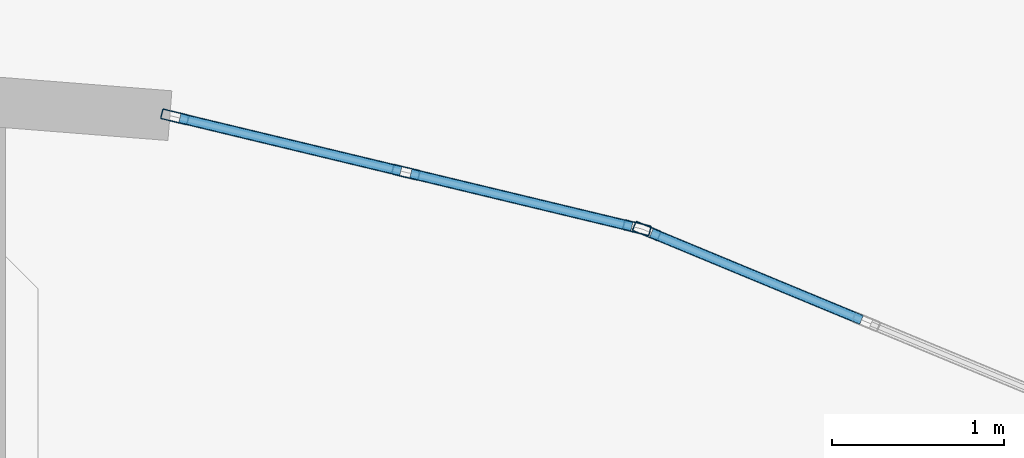
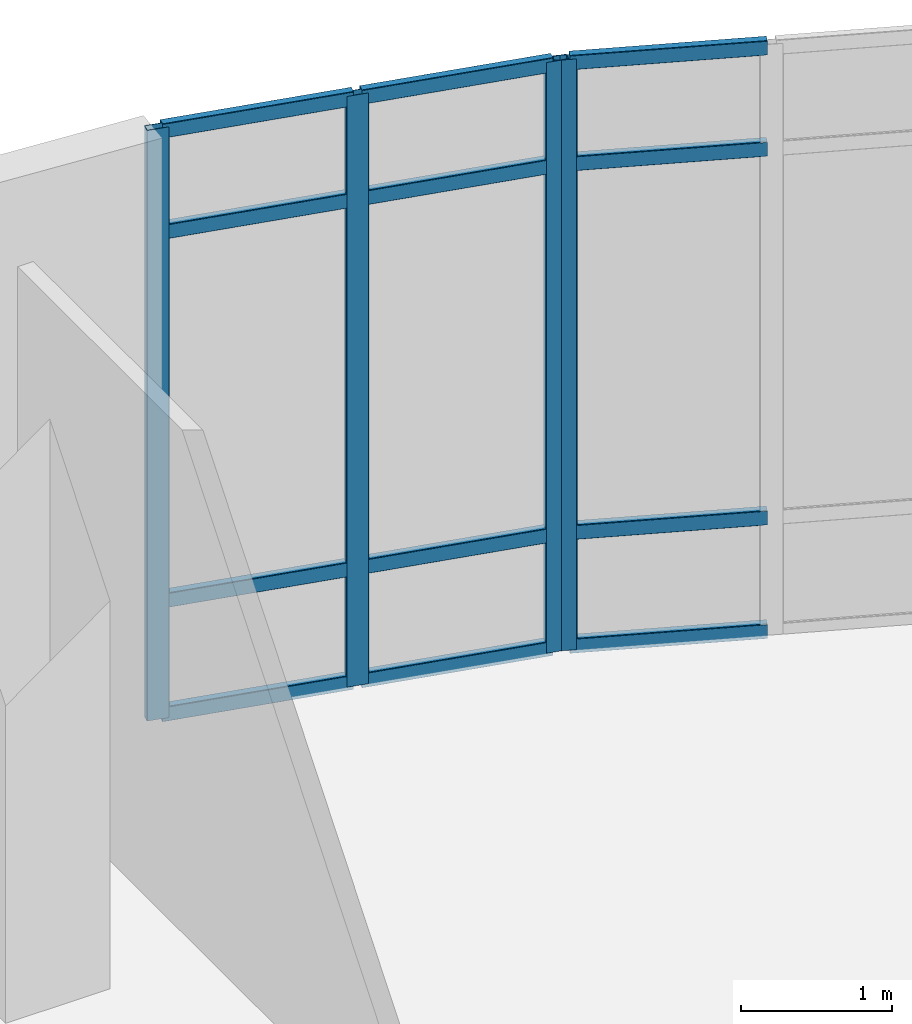
# One storey, part 56 of 96: 16 members, 2 elements without a shape of their own.
"""IFC4 building model written with IfcOpenShell, lengths in metres."""

import ifcopenshell
import ifcopenshell.guid

model = None  # the IFC model being written
_history = None  # IfcOwnerHistory: only IFC2X3 demands one
_inside = {}  # id of a spatial element -> (the spatial element, [elements in it])
_under = {}  # id of a project, library or spatial element -> (it, [spatial elements below it])
_declared = {}  # id of a project -> (the project, [libraries it declares])
_typed = {}  # id of a type object -> (the type object, [elements of that type])
_made_of = {}  # id of a material, layer set ... -> (it, [elements and type objects made of it])


def new_model(schema):
    """Start an empty IFC model of exactly this schema.

    Asked for "IFC4X3", IfcOpenShell would pick the latest addendum, in which some entities
    have other attributes; the version numbers below select the first issue.
    IFC2X3 requires an IfcOwnerHistory on every rooted entity: one is made here for all.
    """
    global model, _history
    if schema == "IFC4X3":
        model = ifcopenshell.file(schema_version=(4, 3, 0, 0))
    else:
        model = ifcopenshell.file(schema=schema)
    _inside.clear()
    _under.clear()
    _declared.clear()
    _typed.clear()
    _made_of.clear()
    _history = None
    if model.schema == "IFC2X3":
        org = make("IfcOrganization", Name="unknown")
        user = make(
            "IfcPersonAndOrganization",
            ThePerson=make("IfcPerson", FamilyName="unknown"),
            TheOrganization=org,
        )
        app = make(
            "IfcApplication",
            ApplicationDeveloper=org,
            Version="unknown",
            ApplicationFullName="unknown",
            ApplicationIdentifier="unknown",
        )
        _history = make(
            "IfcOwnerHistory",
            OwningUser=user,
            OwningApplication=app,
            ChangeAction="ADDED",
            CreationDate=0,
        )
    return model


def make(cls, **values):
    """One entity of the class cls with the attributes given. An attribute that is None is left unset."""
    return model.create_entity(
        cls, **{name: value for name, value in values.items() if value is not None}
    )


def rooted(cls, **values):
    """An entity with a GlobalId (a new one), such as an element, a storey or a relation."""
    return make(cls, GlobalId=ifcopenshell.guid.new(), OwnerHistory=_history, **values)


def si_unit(unit_type, name, prefix=None):
    """IfcSIUnit, for example si_unit("LENGTHUNIT", "METRE", prefix="MILLI")."""
    return make("IfcSIUnit", UnitType=unit_type, Prefix=prefix, Name=name)


def derived_unit(unit_type, elements):
    """IfcDerivedUnit: a product of units, each with its exponent."""
    return make(
        "IfcDerivedUnit",
        Elements=[
            make("IfcDerivedUnitElement", Unit=unit, Exponent=power)
            for unit, power in elements
        ],
        UnitType=unit_type,
    )


def assignment(units):
    """IfcUnitAssignment: the units of a project."""
    return None if units is None else make("IfcUnitAssignment", Units=units)


def point(xyz):
    """IfcCartesianPoint."""
    return None if xyz is None else make("IfcCartesianPoint", Coordinates=xyz)


def direction(xyz):
    """IfcDirection."""
    return None if xyz is None else make("IfcDirection", DirectionRatios=xyz)


def frame(location, z_axis=None, x_axis=None):
    """IfcAxis2Placement3D, a coordinate frame: its origin and axes. An axis left out is left unset."""
    return make(
        "IfcAxis2Placement3D",
        Location=point(location),
        Axis=direction(z_axis),
        RefDirection=direction(x_axis),
    )


def frame_2d(location, x_axis=None):
    """IfcAxis2Placement2D, a coordinate frame in the plane: its origin and x axis."""
    return make(
        "IfcAxis2Placement2D", Location=point(location), RefDirection=direction(x_axis)
    )


def origin():
    """The frame at (0, 0, 0) with its axes left unset."""
    return frame((0.0, 0.0, 0.0))


def origin_2d():
    """The frame at (0, 0) in the plane with its x axis left unset."""
    return frame_2d((0.0, 0.0))


def place(relative_to, where):
    """IfcLocalPlacement: puts the frame where relative to a parent placement (None: the world)."""
    return make(
        "IfcLocalPlacement", PlacementRelTo=relative_to, RelativePlacement=where
    )


def context(
    kind, dimensions, precision=None, world=None, true_north=None, identifier=None
):
    """IfcGeometricRepresentationContext, for example the 3D "Model" context."""
    return make(
        "IfcGeometricRepresentationContext",
        ContextIdentifier=identifier,
        ContextType=kind,
        CoordinateSpaceDimension=dimensions,
        Precision=precision,
        WorldCoordinateSystem=world,
        TrueNorth=true_north,
    )


def subcontext(parent, identifier, kind, view, scale=None):
    """IfcGeometricRepresentationSubContext, for example "Body" below "Model"."""
    return make(
        "IfcGeometricRepresentationSubContext",
        ContextIdentifier=identifier,
        ContextType=kind,
        ParentContext=parent,
        TargetScale=scale,
        TargetView=view,
    )


def project(units=None, contexts=None):
    """IfcProject with its units and contexts."""
    return rooted(
        "IfcProject",
        Name="project",
        RepresentationContexts=contexts,
        UnitsInContext=assignment(units),
    )


def spatial(cls, under=None, at=None, **own):
    """A site, building, storey or space (cls), placed at a placement, below another one or the project."""
    s = rooted(cls, ObjectPlacement=at, **own)
    if under is not None:
        _under.setdefault(under.id(), (under, []))[1].append(s)
    return s


def profile(cls, at=None, kind="AREA", **sizes):
    """A parametric profile (cls). Its sizes go by their IFC names, for example OverallWidth=200.0."""
    return make(cls, ProfileType=kind, Position=at, **sizes)


def hollow_rectangle(**sizes):
    """IfcRectangleHollowProfileDef."""
    return profile("IfcRectangleHollowProfileDef", **sizes)


def extrude(swept, where, along, depth):
    """IfcExtrudedAreaSolid: the profile swept, set in the frame where, extruded along a direction by depth."""
    return make(
        "IfcExtrudedAreaSolid",
        SweptArea=swept,
        Position=where,
        ExtrudedDirection=direction(along),
        Depth=depth,
    )


def shape(context_of_items, identifier, shape_type, items):
    """IfcShapeRepresentation: the items that make up one representation, for example the "Body"."""
    return make(
        "IfcShapeRepresentation",
        ContextOfItems=context_of_items,
        RepresentationIdentifier=identifier,
        RepresentationType=shape_type,
        Items=items,
    )


def material(Name=None, Category=None):
    """IfcMaterial."""
    return make("IfcMaterial", Name=Name, Category=Category)


def layer(
    of_material, thickness, ventilated=None, Name=None, Category=None, Priority=None
):
    """IfcMaterialLayer: one layer of a wall or slab, of a material (None: an air gap)."""
    return make(
        "IfcMaterialLayer",
        Material=of_material,
        LayerThickness=thickness,
        IsVentilated=ventilated,
        Name=Name,
        Category=Category,
        Priority=Priority,
    )


def layer_set(layers, Name=None):
    """IfcMaterialLayerSet."""
    return make("IfcMaterialLayerSet", MaterialLayers=layers, LayerSetName=Name)


def material_profile(
    of_material, cross_section, Name=None, Category=None, Priority=None
):
    """IfcMaterialProfile: a cross section and its material."""
    return make(
        "IfcMaterialProfile",
        Name=Name,
        Material=of_material,
        Profile=cross_section,
        Priority=Priority,
        Category=Category,
    )


def profile_set(profiles, Name=None, composite=None):
    """IfcMaterialProfileSet."""
    return make(
        "IfcMaterialProfileSet",
        Name=Name,
        MaterialProfiles=profiles,
        CompositeProfile=composite,
    )


def made_of(thing, what):
    """Note that an element or type object is made of a material, layer set ...; save() writes the relation."""
    if what is not None:
        _made_of.setdefault(what.id(), (what, []))[1].append(thing)
    return thing


def type_object(cls, material=None, **own):
    """A type object (cls), such as IfcWallType, which elements share."""
    return made_of(rooted(cls, **own), material)


def element(
    cls,
    number,
    at=None,
    inside=None,
    cuts=None,
    type_object=None,
    material=None,
    context=None,
    identifier="Body",
    shape_type=None,
    held_by="IfcProductDefinitionShape",
    body=None,
    shapes=None,
    **own,
):
    """One element of the class cls, such as IfcWall. Its Tag is "e" and its number.

    at: its placement. inside: the storey or other place that contains it. cuts: it is an
    opening in that element (IfcRelVoidsElement). A single representation is given by context,
    identifier, shape_type and body (its items); several are given by shapes. held_by: the class
    of the entity that holds the representations. save() writes the other relations.
    """
    e = rooted(cls, Tag="e%d" % number, ObjectPlacement=at, **own)
    if body is not None:
        shapes = [shape(context, identifier, shape_type, body)]
    if shapes is not None:
        e.Representation = make(held_by, Representations=shapes)
    if inside is not None:
        _inside.setdefault(inside.id(), (inside, []))[1].append(e)
    if cuts is not None:
        rooted(
            "IfcRelVoidsElement", RelatingBuildingElement=cuts, RelatedOpeningElement=e
        )
    if type_object is not None:
        _typed.setdefault(type_object.id(), (type_object, []))[1].append(e)
    return made_of(e, material)


def aggregate(whole, parts):
    """IfcRelAggregates: a whole, such as a stair, and the parts it consists of."""
    return rooted("IfcRelAggregates", RelatingObject=whole, RelatedObjects=parts)


def save(model, path):
    """Write the relations noted so far, then the file.

    IfcRelAggregates (storeys below a building ...), IfcRelContainedInSpatialStructure (elements
    in a storey), IfcRelDefinesByType, IfcRelAssociatesMaterial and IfcRelDeclares: one each for
    every whole, place, type object, material and project.
    """
    for whole, parts in _under.values():
        aggregate(whole, parts)
    for where, things in _inside.values():
        rooted(
            "IfcRelContainedInSpatialStructure",
            RelatedElements=things,
            RelatingStructure=where,
        )
    for kind, things in _typed.values():
        rooted("IfcRelDefinesByType", RelatedObjects=things, RelatingType=kind)
    for what, things in _made_of.values():
        rooted("IfcRelAssociatesMaterial", RelatedObjects=things, RelatingMaterial=what)
    for by, libraries in _declared.values():
        rooted("IfcRelDeclares", RelatingContext=by, RelatedDefinitions=libraries)
    model.write(path)


model = new_model("IFC4")

# Units and contexts
model_context = context("Model", 3, precision=1e-05, world=origin(), true_north=direction((0.0, 1.0)))
body_context = subcontext(model_context, "Body", "Model", "MODEL_VIEW")
ifc_project = project(units=[si_unit("LENGTHUNIT", "METRE"), si_unit("AREAUNIT", "SQUARE_METRE"), si_unit("VOLUMEUNIT", "CUBIC_METRE"), si_unit("PLANEANGLEUNIT", "RADIAN"), si_unit("MASSUNIT", "GRAM", prefix="KILO"), derived_unit("THERMALTRANSMITTANCEUNIT", [(si_unit("MASSUNIT", "GRAM", prefix="KILO"), 1), (si_unit("TIMEUNIT", "SECOND"), -3), (si_unit("THERMODYNAMICTEMPERATUREUNIT", "KELVIN"), -1)])], contexts=[model_context])

# Site, building, storey
site_placement = place(None, origin())
site = spatial("IfcSite", under=ifc_project, at=site_placement, CompositionType="ELEMENT")
building_placement = place(site_placement, origin())
building = spatial("IfcBuilding", under=site, at=building_placement, Name="Qinzheling Arcade Emporium", CompositionType="ELEMENT")
storey_placement = place(building_placement, frame((0.0, 0.0, 21.60009765625)))
storey = spatial("IfcBuildingStorey", under=building, at=storey_placement, Name="L05", CompositionType="ELEMENT", Elevation=21.60009765625)

# Curtain wall, members
ifc_material_1 = material(Name="Anodised aluminium and solar-control double glazing", Category="aluminium")
ifc_layer = layer(ifc_material_1, 0.159912109375, Name="Anodised aluminium and solar-control double glazing", Category="aluminium")
ifc_layer_set = layer_set([ifc_layer], Name="Anodised aluminium and solar-control double glazing")
curtain_wall_type = type_object("IfcCurtainWallType", Name="Curved Ribbon Sales Curtain Wall", PredefinedType="NOTDEFINED", material=ifc_layer_set)
curtain_wall_1_placement = place(storey_placement, origin())
curtain_wall_1 = element("IfcCurtainWall", 1, at=curtain_wall_1_placement, inside=storey, type_object=curtain_wall_type, Name="Curtain Wall CW-L05-335", PredefinedType="NOTDEFINED")
ifc_material_2 = material(Name="Anodised aluminium 6063-T6", Category="aluminium")
ifc_material_profile_1 = material_profile(ifc_material_2, hollow_rectangle(XDim=0.06005859375, YDim=0.159912109375, WallThickness=0.00390625, InnerFilletRadius=0.00390625, OuterFilletRadius=0.008056640625, at=origin_2d()), Name="RHS 160x60x4", Category="aluminium")
ifc_profile_set_1 = profile_set([ifc_material_profile_1], Name="Anodised aluminium 6063-T6")
member_type_1 = type_object("IfcMemberType", Name="Curtain Wall Mullion RHS160x60", PredefinedType="MULLION", material=ifc_profile_set_1)
member_1_placement = place(storey_placement, frame((124.045166015625, 108.970947265625, 0.0), z_axis=(0.0, 0.0, 1.0), x_axis=(0.233359559423, 0.972390516216, 0.0)))
member_1 = element("IfcMember", 2, at=member_1_placement, type_object=member_type_1, Name="CW02 mullion 1", PredefinedType="MULLION", context=body_context, shape_type="SweptSolid", body=[
    extrude(hollow_rectangle(XDim=0.06005859375, YDim=0.159912109375, WallThickness=0.00390625, InnerFilletRadius=0.00390625, OuterFilletRadius=0.008056640625, at=origin_2d()), origin(), (0.0, 0.0, 1.0), 4.789794921875),
])
member_2_placement = place(storey_placement, frame((125.388916015625, 108.6484375, 0.0), z_axis=(0.0, 0.0, 1.0), x_axis=(0.233359559423, 0.972390516216, 0.0)))
member_2 = element("IfcMember", 3, at=member_2_placement, type_object=member_type_1, Name="CW02 mullion 2", PredefinedType="MULLION", context=body_context, shape_type="SweptSolid", body=[
    extrude(hollow_rectangle(XDim=0.06005859375, YDim=0.159912109375, WallThickness=0.00390625, InnerFilletRadius=0.00390625, OuterFilletRadius=0.008056640625, at=origin_2d()), origin(), (0.0, 0.0, 1.0), 4.789794921875),
])
member_3_placement = place(storey_placement, frame((126.73291015625, 108.325927734375, 0.0), z_axis=(0.0, 0.0, 1.0), x_axis=(0.233359559423, 0.972390516216, 0.0)))
member_3 = element("IfcMember", 4, at=member_3_placement, type_object=member_type_1, Name="CW02 mullion 3", PredefinedType="MULLION", context=body_context, shape_type="SweptSolid", body=[
    extrude(hollow_rectangle(XDim=0.06005859375, YDim=0.159912109375, WallThickness=0.00390625, InnerFilletRadius=0.00390625, OuterFilletRadius=0.008056640625, at=origin_2d()), origin(), (0.0, 0.0, 1.0), 4.789794921875),
])

# Curtain wall, member
curtain_wall_2_placement = place(storey_placement, origin())
curtain_wall_2 = element("IfcCurtainWall", 5, at=curtain_wall_2_placement, inside=storey, type_object=curtain_wall_type, Name="Curtain Wall CW-L05-336", PredefinedType="NOTDEFINED")
member_4_placement = place(storey_placement, frame((126.789794921875, 108.3076171875, 0.0), z_axis=(0.0, 0.0, 1.0), x_axis=(0.382654004198, 0.923891721508, 0.0)))
member_4 = element("IfcMember", 6, at=member_4_placement, type_object=member_type_1, Name="CW02 mullion 1", PredefinedType="MULLION", context=body_context, shape_type="SweptSolid", body=[
    extrude(hollow_rectangle(XDim=0.06005859375, YDim=0.159912109375, WallThickness=0.00390625, InnerFilletRadius=0.00390625, OuterFilletRadius=0.008056640625, at=origin_2d()), origin(), (0.0, 0.0, 1.0), 4.789794921875),
])

# Member
ifc_material_profile_2 = material_profile(ifc_material_2, hollow_rectangle(XDim=0.06005859375, YDim=0.1201171875, WallThickness=0.00390625, InnerFilletRadius=0.00390625, OuterFilletRadius=0.008056640625, at=origin_2d()), Name="RHS 120x60x4", Category="aluminium")
ifc_profile_set_2 = profile_set([ifc_material_profile_2], Name="Anodised aluminium 6063-T6")
member_type_2 = type_object("IfcMemberType", Name="Curtain Wall Transom RHS120x60", PredefinedType="USERDEFINED", material=ifc_profile_set_2)
member_5_placement = place(storey_placement, frame((124.074462890625, 108.964111328125, 0.02978515625), z_axis=(0.972370535257, -0.233442802766, 0.0), x_axis=(0.233442802766, 0.972370535257, 0.0)))
member_5 = element("IfcMember", 7, at=member_5_placement, type_object=member_type_2, Name="CW02 transom 1.1", ObjectType="TRANSOM", PredefinedType="USERDEFINED", context=body_context, shape_type="SweptSolid", body=[
    extrude(hollow_rectangle(XDim=0.06005859375, YDim=0.1201171875, WallThickness=0.00390625, InnerFilletRadius=0.00390625, OuterFilletRadius=0.008056640625, at=origin_2d()), origin(), (0.0, 0.0, 1.0), 1.322021484375),
])

member_6_placement = place(storey_placement, frame((124.074462890625, 108.964111328125, 0.949951171875), z_axis=(0.972370535257, -0.233442802766, 0.0), x_axis=(0.233442802766, 0.972370535257, 0.0)))
member_6 = element("IfcMember", 8, at=member_6_placement, type_object=member_type_2, Name="CW02 transom 1.2", ObjectType="TRANSOM", PredefinedType="USERDEFINED", context=body_context, shape_type="SweptSolid", body=[
    extrude(hollow_rectangle(XDim=0.06005859375, YDim=0.1201171875, WallThickness=0.00390625, InnerFilletRadius=0.00390625, OuterFilletRadius=0.008056640625, at=origin_2d()), origin(), (0.0, 0.0, 1.0), 1.322021484375),
])

member_7_placement = place(storey_placement, frame((124.074462890625, 108.964111328125, 3.93994140625), z_axis=(0.972370535257, -0.233442802766, 0.0), x_axis=(0.233442802766, 0.972370535257, 0.0)))
member_7 = element("IfcMember", 9, at=member_7_placement, type_object=member_type_2, Name="CW02 transom 1.3", ObjectType="TRANSOM", PredefinedType="USERDEFINED", context=body_context, shape_type="SweptSolid", body=[
    extrude(hollow_rectangle(XDim=0.06005859375, YDim=0.1201171875, WallThickness=0.00390625, InnerFilletRadius=0.00390625, OuterFilletRadius=0.008056640625, at=origin_2d()), origin(), (0.0, 0.0, 1.0), 1.322021484375),
])

member_8_placement = place(storey_placement, frame((124.074462890625, 108.964111328125, 4.760009765625), z_axis=(0.972370535257, -0.233442802766, 0.0), x_axis=(0.233442802766, 0.972370535257, 0.0)))
member_8 = element("IfcMember", 10, at=member_8_placement, type_object=member_type_2, Name="CW02 transom 1.4", ObjectType="TRANSOM", PredefinedType="USERDEFINED", context=body_context, shape_type="SweptSolid", body=[
    extrude(hollow_rectangle(XDim=0.06005859375, YDim=0.1201171875, WallThickness=0.00390625, InnerFilletRadius=0.00390625, OuterFilletRadius=0.008056640625, at=origin_2d()), origin(), (0.0, 0.0, 1.0), 1.322021484375),
])

member_9_placement = place(storey_placement, frame((125.418212890625, 108.6416015625, 0.02978515625), z_axis=(0.972370535257, -0.233442802766, 0.0), x_axis=(0.233442802766, 0.972370535257, 0.0)))
member_9 = element("IfcMember", 11, at=member_9_placement, type_object=member_type_2, Name="CW02 transom 2.1", ObjectType="TRANSOM", PredefinedType="USERDEFINED", context=body_context, shape_type="SweptSolid", body=[
    extrude(hollow_rectangle(XDim=0.06005859375, YDim=0.1201171875, WallThickness=0.00390625, InnerFilletRadius=0.00390625, OuterFilletRadius=0.008056640625, at=origin_2d()), origin(), (0.0, 0.0, 1.0), 1.322021484375),
])

member_10_placement = place(storey_placement, frame((125.418212890625, 108.6416015625, 0.949951171875), z_axis=(0.972370535257, -0.233442802766, 0.0), x_axis=(0.233442802766, 0.972370535257, 0.0)))
member_10 = element("IfcMember", 12, at=member_10_placement, type_object=member_type_2, Name="CW02 transom 2.2", ObjectType="TRANSOM", PredefinedType="USERDEFINED", context=body_context, shape_type="SweptSolid", body=[
    extrude(hollow_rectangle(XDim=0.06005859375, YDim=0.1201171875, WallThickness=0.00390625, InnerFilletRadius=0.00390625, OuterFilletRadius=0.008056640625, at=origin_2d()), origin(), (0.0, 0.0, 1.0), 1.322021484375),
])

member_11_placement = place(storey_placement, frame((125.418212890625, 108.6416015625, 3.93994140625), z_axis=(0.972370535257, -0.233442802766, 0.0), x_axis=(0.233442802766, 0.972370535257, 0.0)))
member_11 = element("IfcMember", 13, at=member_11_placement, type_object=member_type_2, Name="CW02 transom 2.3", ObjectType="TRANSOM", PredefinedType="USERDEFINED", context=body_context, shape_type="SweptSolid", body=[
    extrude(hollow_rectangle(XDim=0.06005859375, YDim=0.1201171875, WallThickness=0.00390625, InnerFilletRadius=0.00390625, OuterFilletRadius=0.008056640625, at=origin_2d()), origin(), (0.0, 0.0, 1.0), 1.322021484375),
])

member_12_placement = place(storey_placement, frame((125.418212890625, 108.6416015625, 4.760009765625), z_axis=(0.972370535257, -0.233442802766, 0.0), x_axis=(0.233442802766, 0.972370535257, 0.0)))
member_12 = element("IfcMember", 14, at=member_12_placement, type_object=member_type_2, Name="CW02 transom 2.4", ObjectType="TRANSOM", PredefinedType="USERDEFINED", context=body_context, shape_type="SweptSolid", body=[
    extrude(hollow_rectangle(XDim=0.06005859375, YDim=0.1201171875, WallThickness=0.00390625, InnerFilletRadius=0.00390625, OuterFilletRadius=0.008056640625, at=origin_2d()), origin(), (0.0, 0.0, 1.0), 1.322021484375),
])

aggregate(curtain_wall_1, [member_1, member_2, member_3, member_5, member_6, member_7, member_8, member_9, member_10, member_11, member_12])

member_13_placement = place(storey_placement, frame((126.8173828125, 108.296142578125, 0.02978515625), z_axis=(0.92388859603, -0.382661550363, 0.0), x_axis=(0.382661550363, 0.92388859603, 0.0)))
member_13 = element("IfcMember", 15, at=member_13_placement, type_object=member_type_2, Name="CW02 transom 1.1", ObjectType="TRANSOM", PredefinedType="USERDEFINED", context=body_context, shape_type="SweptSolid", body=[
    extrude(hollow_rectangle(XDim=0.06005859375, YDim=0.1201171875, WallThickness=0.00390625, InnerFilletRadius=0.00390625, OuterFilletRadius=0.008056640625, at=origin_2d()), origin(), (0.0, 0.0, 1.0), 1.322509765625),
])

member_14_placement = place(storey_placement, frame((126.8173828125, 108.296142578125, 0.949951171875), z_axis=(0.92388859603, -0.382661550363, 0.0), x_axis=(0.382661550363, 0.92388859603, 0.0)))
member_14 = element("IfcMember", 16, at=member_14_placement, type_object=member_type_2, Name="CW02 transom 1.2", ObjectType="TRANSOM", PredefinedType="USERDEFINED", context=body_context, shape_type="SweptSolid", body=[
    extrude(hollow_rectangle(XDim=0.06005859375, YDim=0.1201171875, WallThickness=0.00390625, InnerFilletRadius=0.00390625, OuterFilletRadius=0.008056640625, at=origin_2d()), origin(), (0.0, 0.0, 1.0), 1.322509765625),
])

member_15_placement = place(storey_placement, frame((126.8173828125, 108.296142578125, 3.93994140625), z_axis=(0.92388859603, -0.382661550363, 0.0), x_axis=(0.382661550363, 0.92388859603, 0.0)))
member_15 = element("IfcMember", 17, at=member_15_placement, type_object=member_type_2, Name="CW02 transom 1.3", ObjectType="TRANSOM", PredefinedType="USERDEFINED", context=body_context, shape_type="SweptSolid", body=[
    extrude(hollow_rectangle(XDim=0.06005859375, YDim=0.1201171875, WallThickness=0.00390625, InnerFilletRadius=0.00390625, OuterFilletRadius=0.008056640625, at=origin_2d()), origin(), (0.0, 0.0, 1.0), 1.322509765625),
])

member_16_placement = place(storey_placement, frame((126.8173828125, 108.296142578125, 4.760009765625), z_axis=(0.92388859603, -0.382661550363, 0.0), x_axis=(0.382661550363, 0.92388859603, 0.0)))
member_16 = element("IfcMember", 18, at=member_16_placement, type_object=member_type_2, Name="CW02 transom 1.4", ObjectType="TRANSOM", PredefinedType="USERDEFINED", context=body_context, shape_type="SweptSolid", body=[
    extrude(hollow_rectangle(XDim=0.06005859375, YDim=0.1201171875, WallThickness=0.00390625, InnerFilletRadius=0.00390625, OuterFilletRadius=0.008056640625, at=origin_2d()), origin(), (0.0, 0.0, 1.0), 1.322509765625),
])

aggregate(curtain_wall_2, [member_4, member_13, member_14, member_15, member_16])

save(model, "model.ifc")
